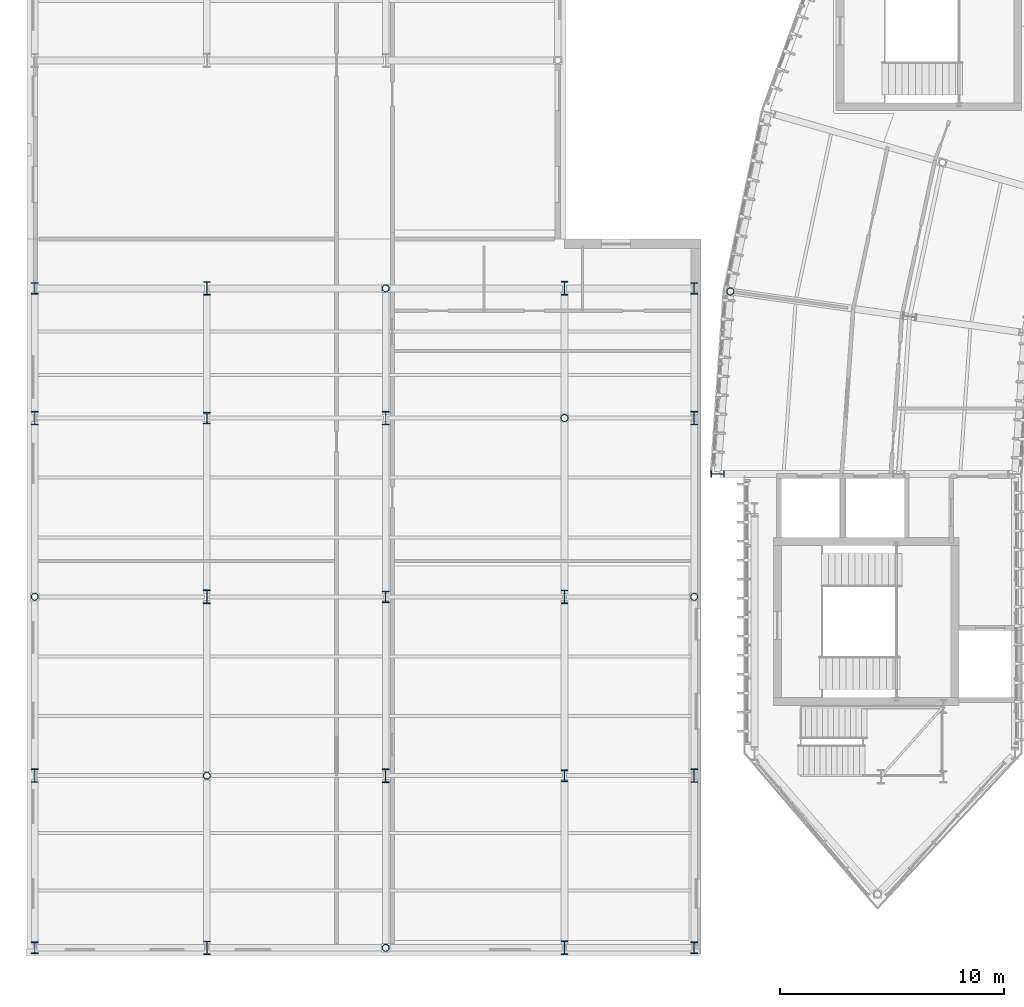
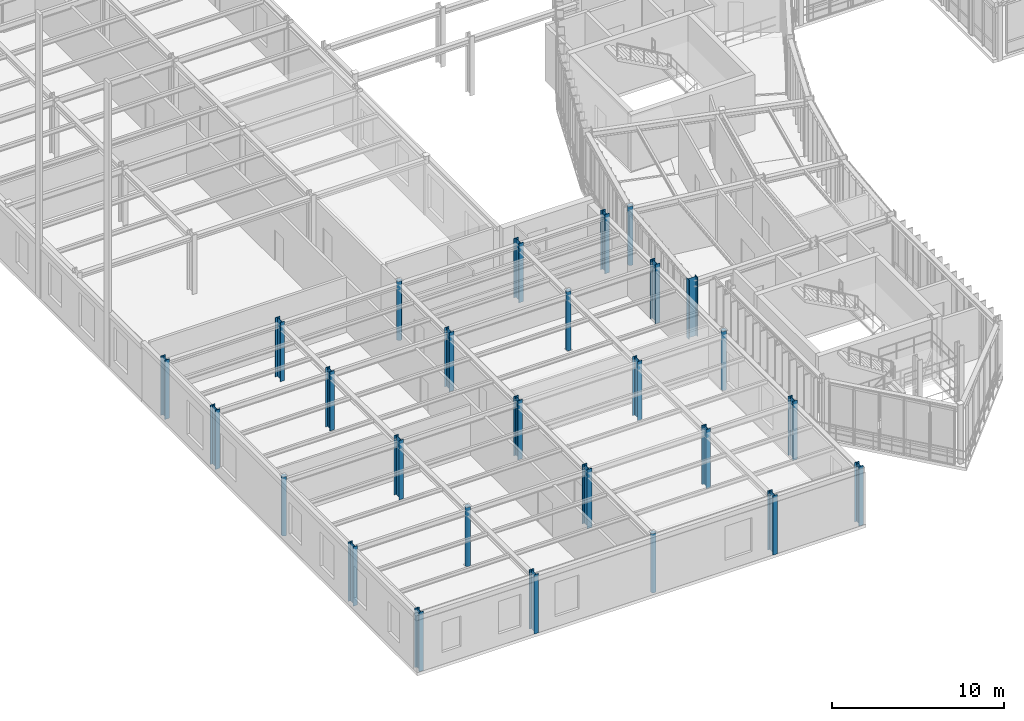
# One storey, part 1 of 148: 27 columns.
"""IFC4 building model written with IfcOpenShell, lengths in metres."""

from ifc_helpers import new_model, si_unit, direction, frame, origin, origin_2d, place, context, subcontext, project, spatial, hollow_circle, i_section, extrude, material, material_profile, profile_set, type_object, element, save


model = new_model("IFC4")

# Units and contexts
model_context = context("Model", 3, precision=1e-05, world=origin(), true_north=direction((0.0, 1.0)))
body_context = subcontext(model_context, "Body", "Model", "MODEL_VIEW")
ifc_project = project(units=[si_unit("LENGTHUNIT", "METRE"), si_unit("AREAUNIT", "SQUARE_METRE"), si_unit("VOLUMEUNIT", "CUBIC_METRE"), si_unit("PLANEANGLEUNIT", "RADIAN"), si_unit("MASSUNIT", "GRAM", prefix="KILO"), si_unit("THERMODYNAMICTEMPERATUREUNIT", "KELVIN"), si_unit("POWERUNIT", "WATT")], contexts=[model_context])

# Site, building, storey
site_placement = place(None, origin())
site = spatial("IfcSite", under=ifc_project, at=site_placement, CompositionType="ELEMENT")
building_placement = place(site_placement, origin())
building = spatial("IfcBuilding", under=site, at=building_placement, Name="Solvatero Civic Police Headquarters", CompositionType="ELEMENT")
storey_placement = place(building_placement, frame((0.0, 0.0, 5.10009765625)))
storey = spatial("IfcBuildingStorey", under=building, at=storey_placement, Name="L01", CompositionType="ELEMENT", Elevation=5.10009765625)

# Columns
ifc_material = material(Name="Steel S355", Category="steel")
ifc_material_profile_1 = material_profile(ifc_material, hollow_circle(Radius=0.161865234375, WallThickness=0.01611328125, at=origin_2d()), Name="CHS 323.9x16.0")
ifc_profile_set_1 = profile_set([ifc_material_profile_1], Name="Steel S355")
column_type_1 = type_object("IfcColumnType", Name="COL-ST-CHS324", PredefinedType="COLUMN", material=ifc_profile_set_1)
for number, where, z_axis, x_axis, name in (
    (1, (35.9208984375, 34.16259765625, 0.0), (0.0, 0.0, 1.0), (0.13917310096, 0.990268068742, 0.0), "Column ARC-S11-OUT L01"),
    (2, (4.800048828125, 20.5, 0.0), (0.0, 0.0, 1.0), (1.0, 0.0, 0.0), "Column V4-X1Y3 L01"),
    (3, (12.5, 12.5, 0.0), (0.0, 0.0, 1.0), (1.0, 0.0, 0.0), "Column V4-X2Y2 L01"),
    (4, (20.5, 4.800048828125, 0.0), (0.0, 0.0, 1.0), (1.0, 0.0, 0.0), "Column V4-X3Y1 L01"),
    (5, (20.5, 34.300048828125, 0.0), (0.0, 0.0, 1.0), (1.0, 0.0, 0.0), "Column V4-X3Y5 L01"),
    (6, (28.5, 28.5, 0.0), (0.0, 0.0, 1.0), (1.0, 0.0, 0.0), "Column V4-X4Y4 L01"),
    (7, (34.300048828125, 20.5, 0.0), (0.0, 0.0, 1.0), (1.0, 0.0, 0.0), "Column V4-X5Y3 L01"),
):
    element("IfcColumn", number, at=place(storey_placement, frame(where, z_axis=z_axis, x_axis=x_axis)), inside=storey, type_object=column_type_1, Name=name, PredefinedType="COLUMN", context=body_context, shape_type="SweptSolid", body=[
        extrude(hollow_circle(Radius=0.161865234375, WallThickness=0.01611328125, at=origin_2d()), origin(), (0.0, 0.0, 1.0), 4.199951171875),
    ])
ifc_material_profile_2 = material_profile(ifc_material, i_section(OverallWidth=0.300048828125, OverallDepth=0.60009765625, WebThickness=0.015380859375, FlangeThickness=0.030029296875, FilletRadius=0.027099609375, at=origin_2d()), Name="HEB 600")
ifc_profile_set_2 = profile_set([ifc_material_profile_2], Name="Steel S355")
column_type_2 = type_object("IfcColumnType", Name="COL-ST-HEB600", PredefinedType="COLUMN", material=ifc_profile_set_2)
for number, where, z_axis, x_axis, name in (
    (8, (35.35009765625, 26.0, 0.0), (0.0, 0.0, 1.0), (0.0, 1.0, 0.0), "Column ARC-S12-OUT L01"),
    (9, (4.800048828125, 12.5, 0.0), (0.0, 0.0, 1.0), (1.0, 0.0, 0.0), "Column V4-X1Y2 L01"),
    (10, (12.5, 4.800048828125, 0.0), (0.0, 0.0, 1.0), (1.0, 0.0, 0.0), "Column V4-X2Y1 L01"),
    (11, (12.5, 34.300048828125, 0.0), (0.0, 0.0, 1.0), (1.0, 0.0, 0.0), "Column V4-X2Y5 L01"),
    (12, (20.5, 28.5, 0.0), (0.0, 0.0, 1.0), (1.0, 0.0, 0.0), "Column V4-X3Y4 L01"),
    (13, (28.5, 20.5, 0.0), (0.0, 0.0, 1.0), (1.0, 0.0, 0.0), "Column V4-X4Y3 L01"),
    (14, (34.300048828125, 12.5, 0.0), (0.0, 0.0, 1.0), (1.0, 0.0, 0.0), "Column V4-X5Y2 L01"),
):
    element("IfcColumn", number, at=place(storey_placement, frame(where, z_axis=z_axis, x_axis=x_axis)), inside=storey, type_object=column_type_2, Name=name, PredefinedType="COLUMN", context=body_context, shape_type="SweptSolid", body=[
        extrude(i_section(OverallWidth=0.300048828125, OverallDepth=0.60009765625, WebThickness=0.015380859375, FlangeThickness=0.030029296875, FilletRadius=0.027099609375, at=origin_2d()), origin(), (0.0, 0.0, 1.0), 4.199951171875),
    ])
ifc_material_profile_3 = material_profile(ifc_material, i_section(OverallWidth=0.305908203125, OverallDepth=0.52392578125, WebThickness=0.02099609375, FlangeThickness=0.0400390625, FilletRadius=0.027099609375, at=origin_2d()), Name="HEM 500")
ifc_profile_set_3 = profile_set([ifc_material_profile_3], Name="Steel S355")
column_type_3 = type_object("IfcColumnType", Name="COL-ST-HEM500", PredefinedType="COLUMN", material=ifc_profile_set_3)
for number, where, z_axis, x_axis, name in (
    (15, (4.800048828125, 4.800048828125, 0.0), (0.0, 0.0, 1.0), (1.0, 0.0, 0.0), "Column V4-X1Y1 L01"),
    (16, (4.800048828125, 34.300048828125, 0.0), (0.0, 0.0, 1.0), (1.0, 0.0, 0.0), "Column V4-X1Y5 L01"),
    (17, (12.5, 28.5, 0.0), (0.0, 0.0, 1.0), (1.0, 0.0, 0.0), "Column V4-X2Y4 L01"),
    (18, (20.5, 20.5, 0.0), (0.0, 0.0, 1.0), (1.0, 0.0, 0.0), "Column V4-X3Y3 L01"),
    (19, (28.5, 12.5, 0.0), (0.0, 0.0, 1.0), (1.0, 0.0, 0.0), "Column V4-X4Y2 L01"),
    (20, (34.300048828125, 4.800048828125, 0.0), (0.0, 0.0, 1.0), (1.0, 0.0, 0.0), "Column V4-X5Y1 L01"),
    (21, (34.300048828125, 34.300048828125, 0.0), (0.0, 0.0, 1.0), (1.0, 0.0, 0.0), "Column V4-X5Y5 L01"),
):
    element("IfcColumn", number, at=place(storey_placement, frame(where, z_axis=z_axis, x_axis=x_axis)), inside=storey, type_object=column_type_3, Name=name, PredefinedType="COLUMN", context=body_context, shape_type="SweptSolid", body=[
        extrude(i_section(OverallWidth=0.305908203125, OverallDepth=0.52392578125, WebThickness=0.02099609375, FlangeThickness=0.0400390625, FilletRadius=0.027099609375, at=origin_2d()), origin(), (0.0, 0.0, 1.0), 4.199951171875),
    ])
ifc_material_profile_4 = material_profile(ifc_material, i_section(OverallWidth=0.304931640625, OverallDepth=0.6201171875, WebThickness=0.02099609375, FlangeThickness=0.0400390625, FilletRadius=0.027099609375, at=origin_2d()), Name="HEM 600")
ifc_profile_set_4 = profile_set([ifc_material_profile_4], Name="Steel S355")
column_type_4 = type_object("IfcColumnType", Name="COL-ST-HEM600", PredefinedType="COLUMN", material=ifc_profile_set_4)
for number, where, z_axis, x_axis, name in (
    (22, (4.800048828125, 28.5, 0.0), (0.0, 0.0, 1.0), (1.0, 0.0, 0.0), "Column V4-X1Y4 L01"),
    (23, (12.5, 20.5, 0.0), (0.0, 0.0, 1.0), (1.0, 0.0, 0.0), "Column V4-X2Y3 L01"),
    (24, (20.5, 12.5, 0.0), (0.0, 0.0, 1.0), (1.0, 0.0, 0.0), "Column V4-X3Y2 L01"),
    (25, (28.5, 4.800048828125, 0.0), (0.0, 0.0, 1.0), (1.0, 0.0, 0.0), "Column V4-X4Y1 L01"),
    (26, (28.5, 34.300048828125, 0.0), (0.0, 0.0, 1.0), (1.0, 0.0, 0.0), "Column V4-X4Y5 L01"),
    (27, (34.300048828125, 28.5, 0.0), (0.0, 0.0, 1.0), (1.0, 0.0, 0.0), "Column V4-X5Y4 L01"),
):
    element("IfcColumn", number, at=place(storey_placement, frame(where, z_axis=z_axis, x_axis=x_axis)), inside=storey, type_object=column_type_4, Name=name, PredefinedType="COLUMN", context=body_context, shape_type="SweptSolid", body=[
        extrude(i_section(OverallWidth=0.304931640625, OverallDepth=0.6201171875, WebThickness=0.02099609375, FlangeThickness=0.0400390625, FilletRadius=0.027099609375, at=origin_2d()), origin(), (0.0, 0.0, 1.0), 4.199951171875),
    ])

save(model, "model.ifc")
